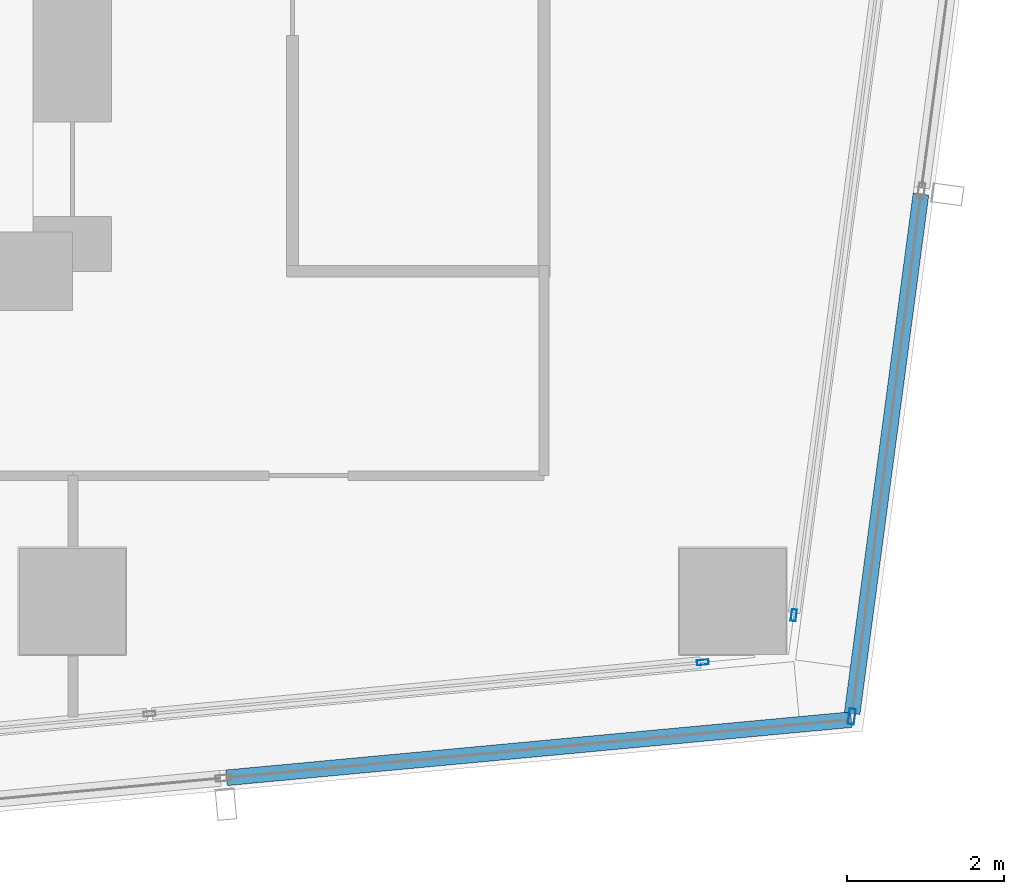
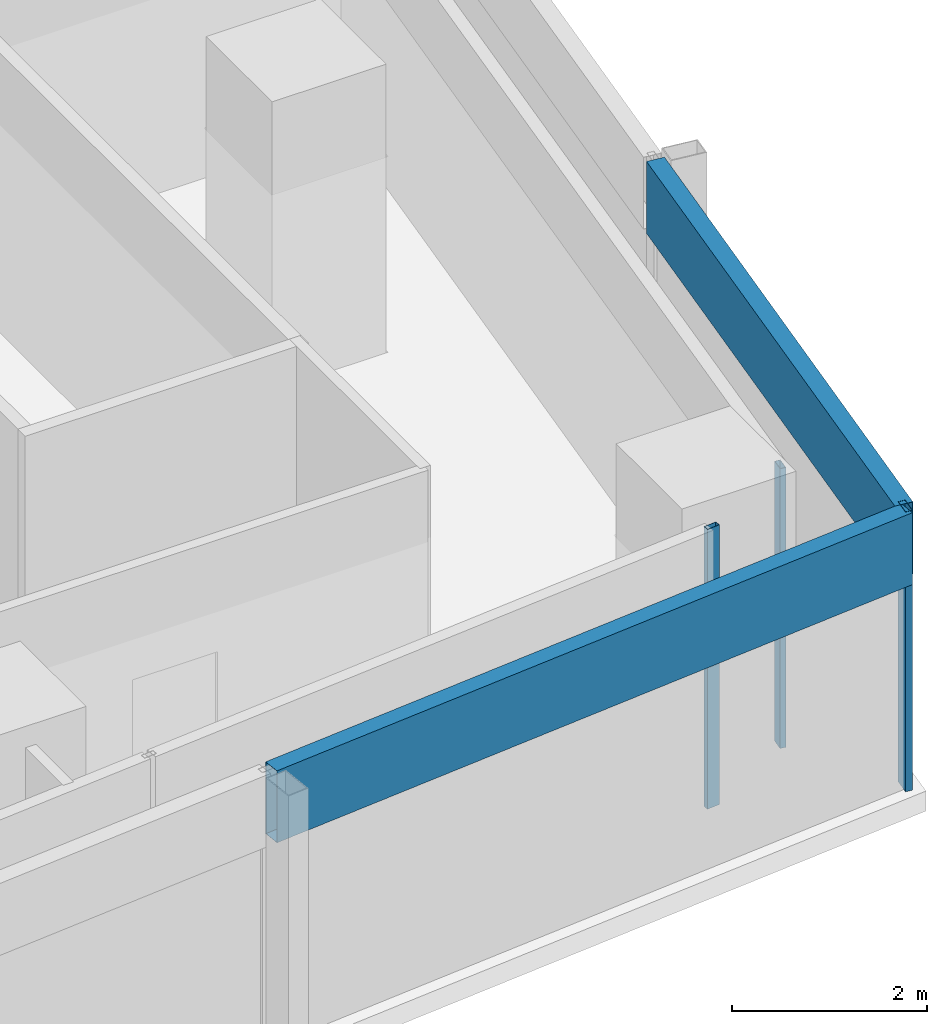
# One storey, part 10 of 35: 5 members, 4 elements without a shape of their own.
"""IFC4 building model written with IfcOpenShell, lengths in metres."""

from ifc_helpers import new_model, si_unit, direction, frame, origin, origin_2d, place, context, subcontext, project, spatial, hollow_rectangle, extrude, material, material_profile, profile_set, type_object, element, aggregate, save


model = new_model("IFC4")

# Units and contexts
model_context = context("Model", 3, precision=1e-05, world=origin(), true_north=direction((0.0, 1.0)))
body_context = subcontext(model_context, "Body", "Model", "MODEL_VIEW")
ifc_project = project(units=[si_unit("LENGTHUNIT", "METRE"), si_unit("AREAUNIT", "SQUARE_METRE"), si_unit("VOLUMEUNIT", "CUBIC_METRE"), si_unit("PLANEANGLEUNIT", "RADIAN"), si_unit("MASSUNIT", "GRAM", prefix="KILO")], contexts=[model_context])

# Site, building, storey
site_placement = place(None, origin())
site = spatial("IfcSite", under=ifc_project, at=site_placement, CompositionType="ELEMENT")
building_placement = place(site_placement, origin())
building = spatial("IfcBuilding", under=site, at=building_placement, Name="Rekha Terrace Tower", CompositionType="ELEMENT")
storey_placement = place(building_placement, frame((0.0, 0.0, 191.449951171875)))
storey = spatial("IfcBuildingStorey", under=building, at=storey_placement, Name="L48", CompositionType="ELEMENT", Elevation=191.449951171875)

# Curtain wall, member
ifc_material_1 = material(Name="Aluminium framing", Category="aluminium")
curtain_wall_type_1 = type_object("IfcCurtainWallType", Name="CW1 double skin inner glazing", PredefinedType="USERDEFINED", material=ifc_material_1)
curtain_wall_1_placement = place(storey_placement, origin())
curtain_wall_1 = element("IfcCurtainWall", 1, at=curtain_wall_1_placement, inside=storey, type_object=curtain_wall_type_1, Name="CW1 double skin inner glazing", ObjectType="DOUBLE SKIN INNER GLAZING", PredefinedType="USERDEFINED")
ifc_material_2 = material(Name="Aluminium mullion section", Category="aluminium")
ifc_material_profile_1 = material_profile(ifc_material_2, hollow_rectangle(XDim=0.06494140625, YDim=0.14990234375, WallThickness=0.00390625, at=origin_2d()), Name="AL RHS 65x150")
ifc_profile_set_1 = profile_set([ifc_material_profile_1], Name="Aluminium mullion section")
member_type_1 = type_object("IfcMemberType", Name="CW1 mullion RHS 65 x 150", PredefinedType="MULLION", material=ifc_profile_set_1)
member_1_placement = place(storey_placement, frame((58.419677734375, 16.025634765625, 0.0), z_axis=(0.0, 0.0, 1.0), x_axis=(-0.092708869564, 0.995693258742, 0.0)))
member_1 = element("IfcMember", 2, at=member_1_placement, type_object=member_type_1, Name="CW1 mullion 3", PredefinedType="MULLION", context=body_context, shape_type="SweptSolid", body=[
    extrude(hollow_rectangle(XDim=0.06494140625, YDim=0.14990234375, WallThickness=0.00390625, at=origin_2d()), origin(), (0.0, 0.0, 1.0), 3.5),
])
aggregate(curtain_wall_1, [member_1])

curtain_wall_2_placement = place(storey_placement, origin())
curtain_wall_2 = element("IfcCurtainWall", 3, at=curtain_wall_2_placement, inside=storey, type_object=curtain_wall_type_1, Name="CW1 double skin inner glazing", ObjectType="DOUBLE SKIN INNER GLAZING", PredefinedType="USERDEFINED")
member_2_placement = place(storey_placement, frame((59.576171875, 16.624755859375, 0.0), z_axis=(0.0, 0.0, 1.0), x_axis=(-0.991342203185, 0.131303603093, 0.0)))
member_2 = element("IfcMember", 4, at=member_2_placement, type_object=member_type_1, Name="CW1 mullion 1", PredefinedType="MULLION", context=body_context, shape_type="SweptSolid", body=[
    extrude(hollow_rectangle(XDim=0.06494140625, YDim=0.14990234375, WallThickness=0.00390625, at=origin_2d()), origin(), (0.0, 0.0, 1.0), 3.5),
])
aggregate(curtain_wall_2, [member_2])

curtain_wall_type_2 = type_object("IfcCurtainWallType", Name="CW2 double skin outer glazing", PredefinedType="USERDEFINED", material=ifc_material_1)
curtain_wall_3_placement = place(storey_placement, origin())
curtain_wall_3 = element("IfcCurtainWall", 5, at=curtain_wall_3_placement, inside=storey, type_object=curtain_wall_type_2, Name="CW2 double skin outer glazing", ObjectType="DOUBLE SKIN OUTER GLAZING", PredefinedType="USERDEFINED")
ifc_material_profile_2 = material_profile(ifc_material_2, hollow_rectangle(XDim=0.080078125, YDim=0.199951171875, WallThickness=0.00390625, at=origin_2d()), Name="AL RHS 80x200")
ifc_profile_set_2 = profile_set([ifc_material_profile_2], Name="Aluminium mullion section")
member_type_2 = type_object("IfcMemberType", Name="CW2 mullion RHS 80 x 200", PredefinedType="MULLION", material=ifc_profile_set_2)
member_3_placement = place(storey_placement, frame((60.3134765625, 15.337158203125, 0.0), z_axis=(0.0, 0.0, 1.0), x_axis=(-0.991342203187, 0.131303603075, 0.0)))
member_3 = element("IfcMember", 6, at=member_3_placement, type_object=member_type_2, Name="CW2 mullion 1", PredefinedType="MULLION", context=body_context, shape_type="SweptSolid", body=[
    extrude(hollow_rectangle(XDim=0.080078125, YDim=0.199951171875, WallThickness=0.00390625, at=origin_2d()), origin(), (0.0, 0.0, 1.0), 3.5),
])

curtain_wall_4_placement = place(storey_placement, origin())
curtain_wall_4 = element("IfcCurtainWall", 7, at=curtain_wall_4_placement, inside=storey, type_object=curtain_wall_type_2, Name="CW2 double skin outer glazing", ObjectType="DOUBLE SKIN OUTER GLAZING", PredefinedType="USERDEFINED")
ifc_material_3 = material(Name="Insulated aluminium spandrel box", Category="aluminium")
ifc_material_profile_3 = material_profile(ifc_material_3, hollow_rectangle(XDim=0.199951171875, YDim=0.89990234375, WallThickness=0.0029296875, at=origin_2d()), Name="AL SPANDREL BOX 200x900")
ifc_profile_set_3 = profile_set([ifc_material_profile_3], Name="Insulated aluminium spandrel box")
member_type_3 = type_object("IfcMemberType", Name="CW2 spandrel transom 200 x 900", PredefinedType="USERDEFINED", material=ifc_profile_set_3)
member_4_placement = place(storey_placement, frame((52.36181640625, 14.5576171875, 3.050048828125), z_axis=(0.99569478362, 0.092692490917, 0.0), x_axis=(-0.092692490917, 0.99569478362, 0.0)))
member_4 = element("IfcMember", 8, at=member_4_placement, type_object=member_type_3, Name="CW2 spandrel transom 2", ObjectType="TRANSOM", PredefinedType="USERDEFINED", context=body_context, shape_type="SweptSolid", body=[
    extrude(hollow_rectangle(XDim=0.199951171875, YDim=0.89990234375, WallThickness=0.0029296875, at=origin_2d()), origin(), (0.0, 0.0, 1.0), 7.980712890625),
])
aggregate(curtain_wall_4, [member_4])

# Member
member_5_placement = place(storey_placement, frame((60.318603515625, 15.376708984375, 3.050048828125), z_axis=(0.131318864981, 0.991340181623, 0.0), x_axis=(-0.991340181623, 0.131318864981, 0.0)))
member_5 = element("IfcMember", 9, at=member_5_placement, type_object=member_type_3, Name="CW2 spandrel transom 1", ObjectType="TRANSOM", PredefinedType="USERDEFINED", context=body_context, shape_type="SweptSolid", body=[
    extrude(hollow_rectangle(XDim=0.199951171875, YDim=0.89990234375, WallThickness=0.0029296875, at=origin_2d()), origin(), (0.0, 0.0, 1.0), 6.6630859375),
])

aggregate(curtain_wall_3, [member_3, member_5])

save(model, "model.ifc")
